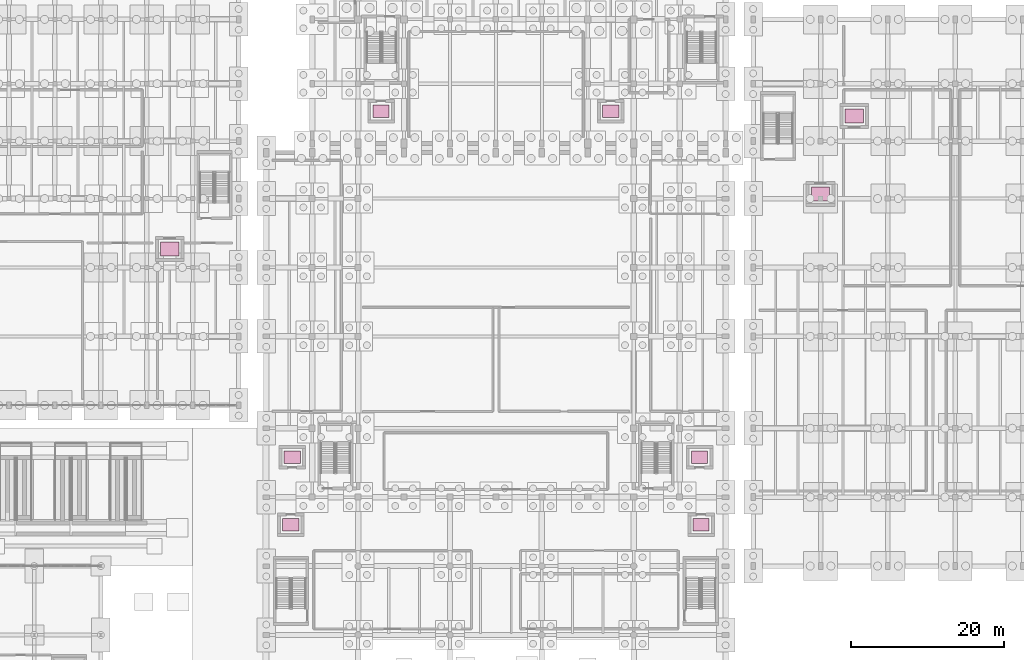
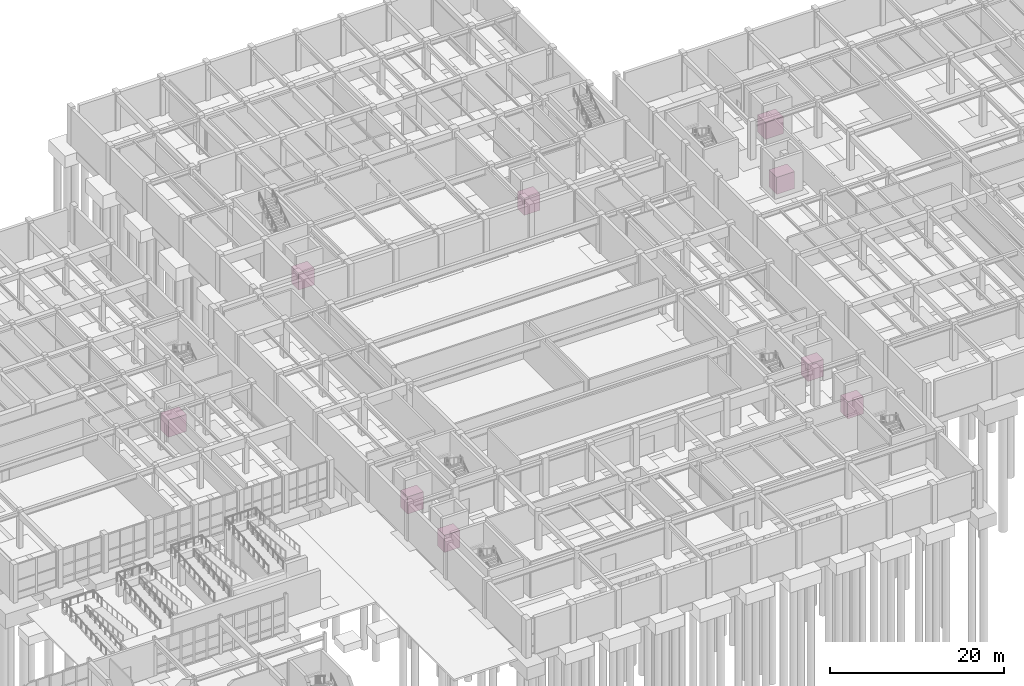
# One storey, part 69 of 69: 9 transport elements.
"""IFC4 building model written with IfcOpenShell, lengths in metres."""

from ifc_helpers import new_model, si_unit, direction, frame, origin, origin_2d, place, context, subcontext, project, spatial, rectangle, extrude, material, type_object, element, save


model = new_model("IFC4")

# Units and contexts
model_context = context("Model", 3, precision=1e-05, world=origin(), true_north=direction((0.0, 1.0)))
body_context = subcontext(model_context, "Body", "Model", "MODEL_VIEW")
ifc_project = project(units=[si_unit("LENGTHUNIT", "METRE"), si_unit("AREAUNIT", "SQUARE_METRE"), si_unit("VOLUMEUNIT", "CUBIC_METRE"), si_unit("PLANEANGLEUNIT", "RADIAN"), si_unit("MASSUNIT", "GRAM", prefix="KILO")], contexts=[model_context])

# Site, building, storey
site_placement = place(None, origin())
site = spatial("IfcSite", under=ifc_project, at=site_placement, CompositionType="ELEMENT")
building_placement = place(site_placement, origin())
building = spatial("IfcBuilding", under=site, at=building_placement, Name="Vaelkrest Opera House", CompositionType="ELEMENT")
storey_placement = place(building_placement, frame((0.0, 0.0, -5.39990234375)))
storey = spatial("IfcBuildingStorey", under=building, at=storey_placement, Name="B1", CompositionType="ELEMENT", Elevation=-5.39990234375)

# Transport elements
ifc_material = material(Name="Dark bronze anodized aluminium", Category="aluminium")
transport_element_type_1 = type_object("IfcTransportElementType", Name="LFT01", PredefinedType="ELEVATOR", material=ifc_material)
for number, where, z_axis, x_axis, name in (
    (1, (-26.60009765625, -23.60009765625, 0.0), (0.0, 0.0, 1.0), (1.0, 0.0, 0.0), "Elevator LP01"),
    (2, (26.60009765625, -23.60009765625, 0.0), (0.0, 0.0, 1.0), (1.0, 0.0, 0.0), "Elevator LP02"),
    (3, (-26.800048828125, -32.39990234375, 0.0), (0.0, 0.0, 1.0), (1.0, 0.0, 0.0), "Elevator LP03"),
    (4, (26.800048828125, -32.39990234375, 0.0), (0.0, 0.0, 1.0), (1.0, 0.0, 0.0), "Elevator LP04"),
    (5, (-15.0, 21.60009765625, 0.0), (0.0, 0.0, 1.0), (1.0, 0.0, 0.0), "Elevator LF01"),
    (6, (15.0, 21.60009765625, 0.0), (0.0, 0.0, 1.0), (1.0, 0.0, 0.0), "Elevator LF02"),
):
    element("IfcTransportElement", number, at=place(storey_placement, frame(where, z_axis=z_axis, x_axis=x_axis)), inside=storey, type_object=transport_element_type_1, Name=name, PredefinedType="ELEVATOR", context=body_context, shape_type="SweptSolid", body=[
        extrude(rectangle(XDim=2.10009765625, YDim=1.60009765625, at=origin_2d()), origin(), (0.0, 0.0, 1.0), 2.39990234375),
    ])
transport_element_type_2 = type_object("IfcTransportElementType", Name="LFT02", PredefinedType="ELEVATOR", material=ifc_material)
for number, where, z_axis, x_axis, name in (
    (7, (-42.60009765625, 3.60009765625, 0.0), (0.0, 0.0, 1.0), (1.0, 0.0, 0.0), "Elevator LP05"),
    (8, (42.39990234375, 10.800048828125, 0.0), (0.0, 0.0, 1.0), (1.0, 0.0, 0.0), "Elevator LP06"),
    (9, (46.800048828125, 21.0, 0.0), (0.0, 0.0, 1.0), (1.0, 0.0, 0.0), "Elevator LS01"),
):
    element("IfcTransportElement", number, at=place(storey_placement, frame(where, z_axis=z_axis, x_axis=x_axis)), inside=storey, type_object=transport_element_type_2, Name=name, PredefinedType="ELEVATOR", context=body_context, shape_type="SweptSolid", body=[
        extrude(rectangle(XDim=2.39990234375, YDim=1.800048828125, at=origin_2d()), origin(), (0.0, 0.0, 1.0), 2.39990234375),
    ])

save(model, "model.ifc")
